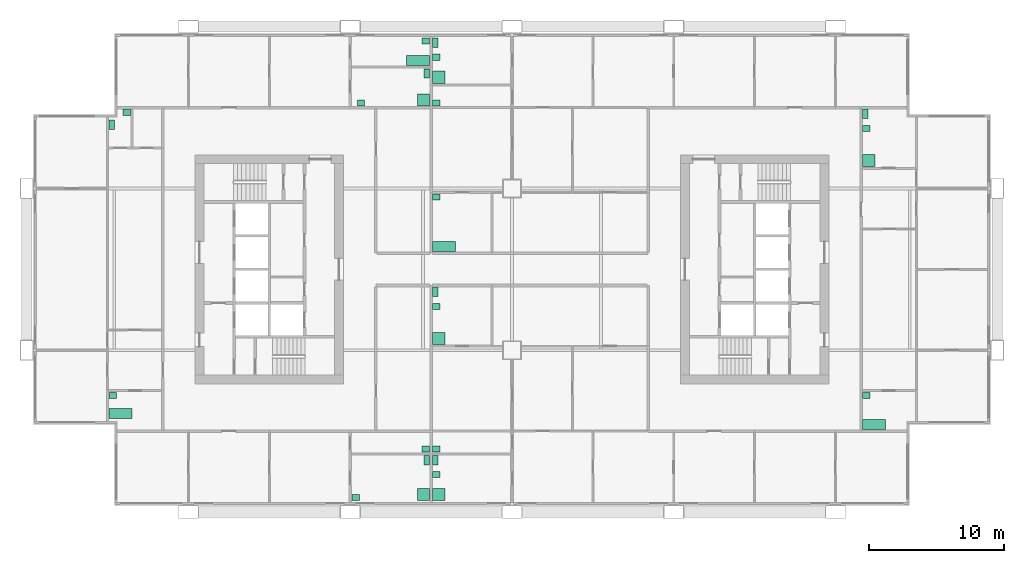
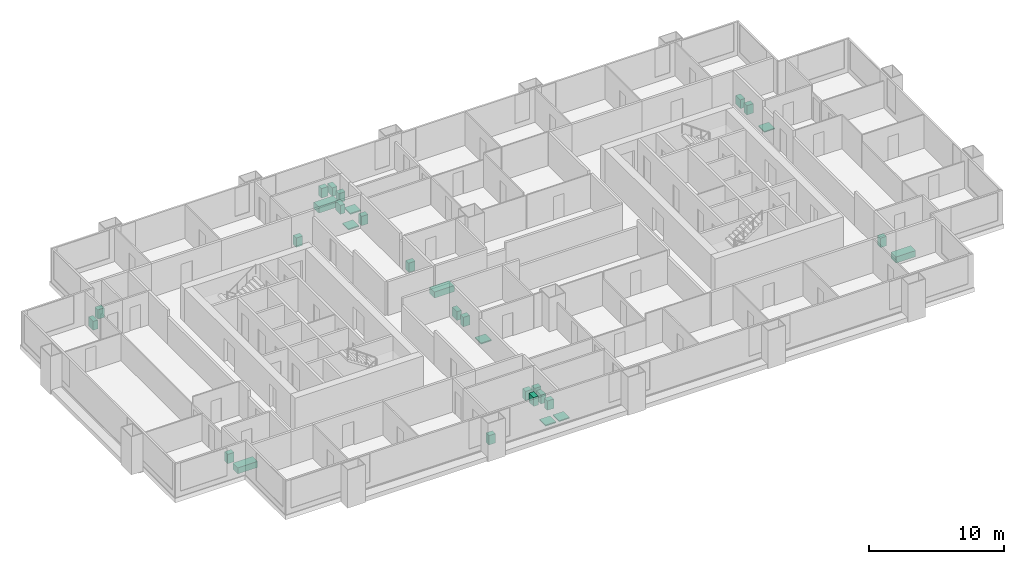
# One storey, part 11 of 11: 31 sanitary terminals.
"""IFC4 building model written with IfcOpenShell, lengths in metres."""

from ifc_helpers import new_model, si_unit, direction, frame, origin, origin_2d, place, context, subcontext, project, spatial, rectangle, extrude, material, type_object, element, save


model = new_model("IFC4")

# Units and contexts
model_context = context("Model", 3, precision=1e-05, world=origin(), true_north=direction((0.0, 1.0)))
body_context = subcontext(model_context, "Body", "Model", "MODEL_VIEW")
ifc_project = project(units=[si_unit("LENGTHUNIT", "METRE"), si_unit("AREAUNIT", "SQUARE_METRE"), si_unit("VOLUMEUNIT", "CUBIC_METRE"), si_unit("PLANEANGLEUNIT", "RADIAN"), si_unit("MASSUNIT", "GRAM", prefix="KILO")], contexts=[model_context])

# Site, building, storey
site_placement = place(None, origin())
site = spatial("IfcSite", under=ifc_project, at=site_placement, CompositionType="ELEMENT")
building_placement = place(site_placement, origin())
building = spatial("IfcBuilding", under=site, at=building_placement, Name="Kitamizu Gate Tower and Museum", CompositionType="ELEMENT")
storey_placement = place(building_placement, frame((0.0, 0.0, 106.949951171875)))
storey = spatial("IfcBuildingStorey", under=building, at=storey_placement, Name="L27", CompositionType="ELEMENT", Elevation=106.949951171875)

# Sanitary terminals
ifc_material_1 = material(Name="Acrylic")
sanitary_terminal_type_1 = type_object("IfcSanitaryTerminalType", Name="Bath", PredefinedType="BATH", material=ifc_material_1)
for number, where, z_axis, x_axis, name in (
    (1, (6.969970703125, 19.294921875, 0.0009765625), (0.0, 0.0, 1.0), (1.0, 0.0, 0.0), "Bath Bathroom 27C"),
    (2, (62.8701171875, 18.4951171875, 0.0009765625), (0.0, 0.0, 1.0), (1.0, 0.0, 0.0), "Bath Bathroom and WC 27E"),
    (3, (29.030029296875, 45.4951171875, 0.0009765625), (0.0, 0.0, 1.0), (1.0, 0.0, 0.0), "Bath Bathroom 27F"),
    (4, (30.969970703125, 31.695068359375, 0.0009765625), (0.0, 0.0, 1.0), (1.0, 0.0, 0.0), "Bath Bathroom 27H"),
):
    element("IfcSanitaryTerminal", number, at=place(storey_placement, frame(where, z_axis=z_axis, x_axis=x_axis)), inside=storey, type_object=sanitary_terminal_type_1, Name=name, PredefinedType="BATH", context=body_context, shape_type="SweptSolid", body=[
        extrude(rectangle(XDim=1.699951171875, YDim=0.75, at=origin_2d()), origin(), (0.0, 0.0, 1.0), 0.550048828125),
    ])
ifc_material_2 = material(Name="Acrylic")
sanitary_terminal_type_2 = type_object("IfcSanitaryTerminalType", Name="Shower tray", PredefinedType="SHOWER", material=ifc_material_2)
for number, where, z_axis, x_axis, name in (
    (5, (29.429931640625, 13.2900390625, 0.0009765625), (0.0, 0.0, 1.0), (1.0, 0.0, 0.0), "Shower tray En-suite bathroom and WC 27A"),
    (6, (30.570068359375, 13.2900390625, 0.0009765625), (0.0, 0.0, 1.0), (1.0, 0.0, 0.0), "Shower tray En-suite bathroom and WC 27D"),
    (7, (30.570068359375, 24.8701171875, 0.0009765625), (0.0, 0.0, 1.0), (1.0, 0.0, 0.0), "Shower tray En-suite bathroom 27D"),
    (8, (62.469970703125, 38.070068359375, 0.0009765625), (0.0, 0.0, 1.0), (1.0, 0.0, 0.0), "Shower tray En-suite bathroom 27E"),
    (9, (29.429931640625, 42.570068359375, 0.0009765625), (0.0, 0.0, 1.0), (1.0, 0.0, 0.0), "Shower tray En-suite bathroom and WC 27F"),
    (10, (30.570068359375, 44.25, 0.0009765625), (0.0, 0.0, 1.0), (1.0, 0.0, 0.0), "Shower tray En-suite bathroom and WC 27H"),
):
    element("IfcSanitaryTerminal", number, at=place(storey_placement, frame(where, z_axis=z_axis, x_axis=x_axis)), inside=storey, type_object=sanitary_terminal_type_2, Name=name, PredefinedType="SHOWER", context=body_context, shape_type="SweptSolid", body=[
        extrude(rectangle(XDim=0.89990234375, YDim=0.89990234375, at=origin_2d()), origin(), (0.0, 0.0, 1.0), 0.10009765625),
    ])
ifc_material_3 = material(Name="Vitreous china")
sanitary_terminal_type_3 = type_object("IfcSanitaryTerminalType", Name="Wash hand basin", PredefinedType="WASHHANDBASIN", material=ifc_material_3)
for number, where, z_axis, x_axis, name in (
    (11, (24.39501953125, 13.06494140625, 0.0009765625), (0.0, 0.0, 1.0), (1.0, 0.0, 0.0), "Wash hand basin En-suite bathroom and WC 27A"),
    (12, (29.60498046875, 16.6650390625, 0.0009765625), (0.0, 0.0, 1.0), (1.0, 0.0, 0.0), "Wash hand basin Wash room 27A"),
    (13, (6.39501953125, 20.655029296875, 0.0009765625), (0.0, 0.0, 1.0), (1.0, 0.0, 0.0), "Wash hand basin Bathroom 27C"),
    (14, (7.405029296875, 41.655029296875, 0.0009765625), (0.0, 0.0, 1.0), (1.0, 0.0, 0.0), "Wash hand basin WC 27C"),
    (15, (30.39501953125, 14.77490234375, 0.0009765625), (0.0, 0.0, 1.0), (1.0, 0.0, 0.0), "Wash hand basin En-suite bathroom and WC 27D"),
    (16, (30.39501953125, 16.6650390625, 0.0009765625), (0.0, 0.0, 1.0), (1.0, 0.0, 0.0), "Wash hand basin Wash room 27D"),
    (17, (30.39501953125, 27.2548828125, 0.0009765625), (0.0, 0.0, 1.0), (1.0, 0.0, 0.0), "Wash hand basin En-suite bathroom 27D"),
    (18, (62.294921875, 20.655029296875, 0.0009765625), (0.0, 0.0, 1.0), (1.0, 0.0, 0.0), "Wash hand basin Bathroom and WC 27E"),
    (19, (62.294921875, 40.455078125, 0.0009765625), (0.0, 0.0, 1.0), (1.0, 0.0, 0.0), "Wash hand basin En-suite bathroom 27E"),
    (20, (24.794921875, 42.344970703125, 0.0009765625), (0.0, 0.0, 1.0), (1.0, 0.0, 0.0), "Wash hand basin En-suite bathroom and WC 27F"),
    (21, (29.60498046875, 46.93505859375, 0.0009765625), (0.0, 0.0, 1.0), (1.0, 0.0, 0.0), "Wash hand basin Bathroom 27F"),
    (22, (30.39501953125, 45.735107421875, 0.0009765625), (0.0, 0.0, 1.0), (1.0, 0.0, 0.0), "Wash hand basin En-suite bathroom and WC 27H"),
    (23, (30.39501953125, 42.344970703125, 0.0009765625), (0.0, 0.0, 1.0), (1.0, 0.0, 0.0), "Wash hand basin Wash room 27H"),
    (24, (30.39501953125, 35.35498046875, 0.0009765625), (0.0, 0.0, 1.0), (1.0, 0.0, 0.0), "Wash hand basin Bathroom 27H"),
):
    element("IfcSanitaryTerminal", number, at=place(storey_placement, frame(where, z_axis=z_axis, x_axis=x_axis)), inside=storey, type_object=sanitary_terminal_type_3, Name=name, PredefinedType="WASHHANDBASIN", context=body_context, shape_type="SweptSolid", body=[
        extrude(rectangle(XDim=0.550048828125, YDim=0.449951171875, at=origin_2d()), origin(), (0.0, 0.0, 1.0), 0.85009765625),
    ])
ifc_material_4 = material(Name="Vitreous china")
sanitary_terminal_type_4 = type_object("IfcSanitaryTerminalType", Name="Water closet", PredefinedType="TOILETPAN", material=ifc_material_4)
for number, where, z_axis, x_axis, name in (
    (25, (29.679931640625, 15.85009765625, 0.0009765625), (0.0, 0.0, 1.0), (1.0, 0.0, 0.0), "Water closet En-suite bathroom and WC 27A"),
    (26, (6.320068359375, 40.72998046875, 0.0009765625), (0.0, 0.0, 1.0), (1.0, 0.0, 0.0), "Water closet WC 27C"),
    (27, (30.320068359375, 15.85009765625, 0.0009765625), (0.0, 0.0, 1.0), (1.0, 0.0, 0.0), "Water closet En-suite bathroom and WC 27D"),
    (28, (30.320068359375, 28.330078125, 0.0009765625), (0.0, 0.0, 1.0), (1.0, 0.0, 0.0), "Water closet En-suite bathroom 27D"),
    (29, (62.219970703125, 41.530029296875, 0.0009765625), (0.0, 0.0, 1.0), (1.0, 0.0, 0.0), "Water closet En-suite bathroom 27E"),
    (30, (29.679931640625, 44.530029296875, 0.0009765625), (0.0, 0.0, 1.0), (1.0, 0.0, 0.0), "Water closet En-suite bathroom and WC 27F"),
    (31, (30.320068359375, 46.81005859375, 0.0009765625), (0.0, 0.0, 1.0), (1.0, 0.0, 0.0), "Water closet En-suite bathroom and WC 27H"),
):
    element("IfcSanitaryTerminal", number, at=place(storey_placement, frame(where, z_axis=z_axis, x_axis=x_axis)), inside=storey, type_object=sanitary_terminal_type_4, Name=name, PredefinedType="TOILETPAN", context=body_context, shape_type="SweptSolid", body=[
        extrude(rectangle(XDim=0.39990234375, YDim=0.699951171875, at=origin_2d()), origin(), (0.0, 0.0, 1.0), 0.800048828125),
    ])

save(model, "model.ifc")
